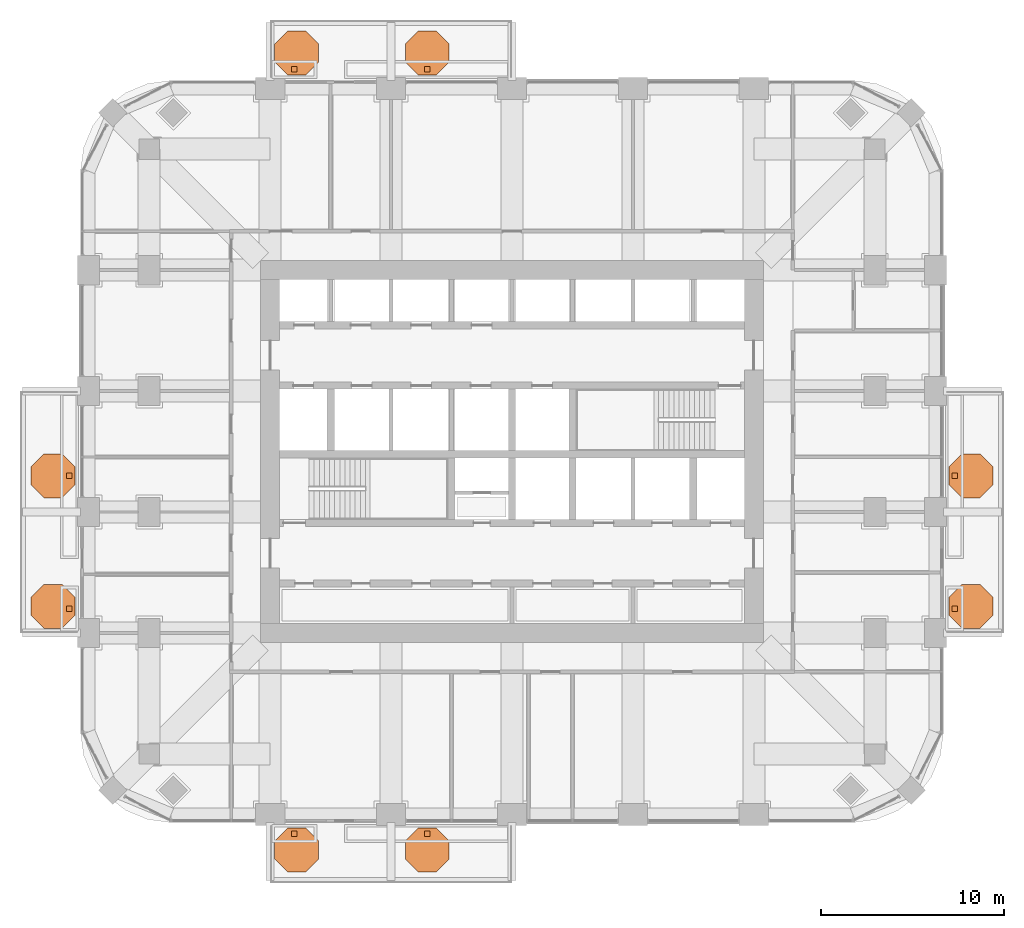
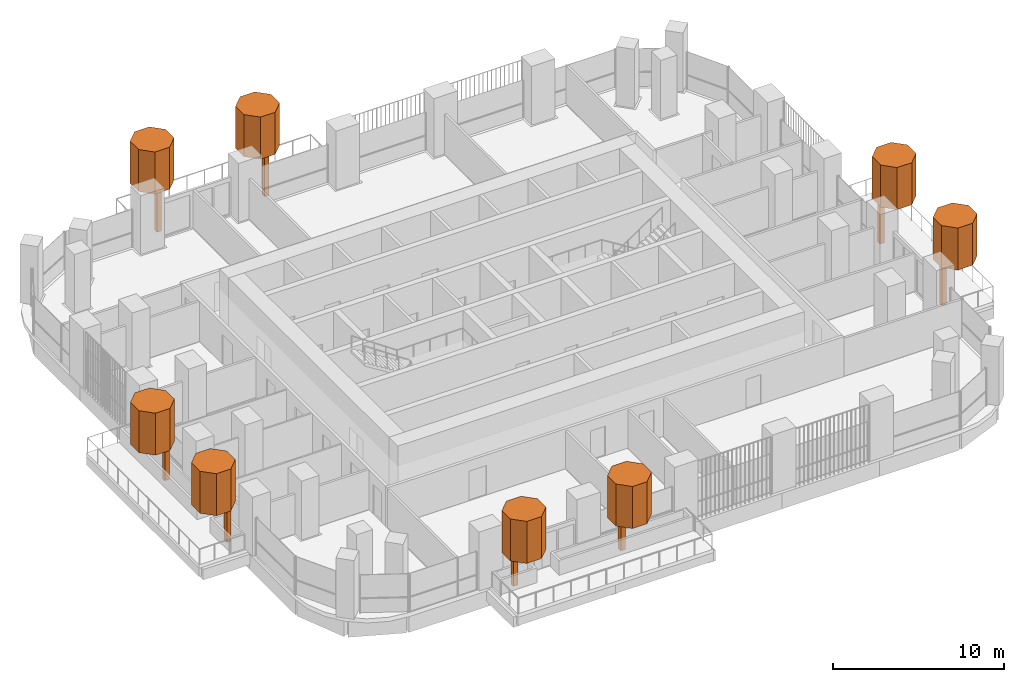
# One storey, part 20 of 20: 16 geographic elements.
"""IFC4 building model written with IfcOpenShell, lengths in metres."""

from ifc_helpers import new_model, si_unit, direction, frame, origin, origin_2d, place, context, subcontext, project, spatial, polyline, rectangle, outline, extrude, material, type_object, element, save


model = new_model("IFC4")

# Units and contexts
model_context = context("Model", 3, precision=1e-05, world=origin(), true_north=direction((0.0, 1.0)))
body_context = subcontext(model_context, "Body", "Model", "MODEL_VIEW")
ifc_project = project(units=[si_unit("LENGTHUNIT", "METRE"), si_unit("AREAUNIT", "SQUARE_METRE"), si_unit("VOLUMEUNIT", "CUBIC_METRE"), si_unit("PLANEANGLEUNIT", "RADIAN"), si_unit("MASSUNIT", "GRAM", prefix="KILO")], contexts=[model_context])

# Site, building, storey
site_placement = place(None, origin())
site = spatial("IfcSite", under=ifc_project, at=site_placement, CompositionType="ELEMENT")
building_placement = place(site_placement, origin())
building = spatial("IfcBuilding", under=site, at=building_placement, Name="Cobogo Forest Laboratory Tower", CompositionType="ELEMENT")
storey_placement = place(building_placement, frame((0.0, 0.0, 193.5)))
storey = spatial("IfcBuildingStorey", under=building, at=storey_placement, Name="L44", CompositionType="ELEMENT", Elevation=193.5)

# Geographic elements
ifc_material = material(Name="Planting", Category="plant")
geographic_element_type_1 = type_object("IfcGeographicElementType", Name="Tree trunk 300", PredefinedType="USERDEFINED", material=ifc_material)
for number, where, z_axis, x_axis, name in (
    (1, (14.52490234375, 2.25, 0.0), (0.0, 0.0, 1.0), (1.0, 0.0, 0.0), "Tree trunk BAL-S1-PL1 L44"),
    (2, (21.77490234375, 2.25, 0.0), (0.0, 0.0, 1.0), (1.0, 0.0, 0.0), "Tree trunk BAL-S1-PL2 L44"),
    (3, (50.550048828125, 14.52490234375, 0.0), (0.0, 0.0, 1.0), (1.0, 0.0, 0.0), "Tree trunk BAL-E1-PL1 L44"),
    (4, (50.550048828125, 21.77490234375, 0.0), (0.0, 0.0, 1.0), (1.0, 0.0, 0.0), "Tree trunk BAL-E1-PL2 L44"),
    (5, (14.52490234375, 43.949951171875, 0.0), (0.0, 0.0, 1.0), (1.0, 0.0, 0.0), "Tree trunk BAL-N1-PL1 L44"),
    (6, (21.77490234375, 43.949951171875, 0.0), (0.0, 0.0, 1.0), (1.0, 0.0, 0.0), "Tree trunk BAL-N1-PL2 L44"),
    (7, (2.25, 14.52490234375, 0.0), (0.0, 0.0, 1.0), (1.0, 0.0, 0.0), "Tree trunk BAL-W1-PL1 L44"),
    (8, (2.25, 21.77490234375, 0.0), (0.0, 0.0, 1.0), (1.0, 0.0, 0.0), "Tree trunk BAL-W1-PL2 L44"),
):
    element("IfcGeographicElement", number, at=place(storey_placement, frame(where, z_axis=z_axis, x_axis=x_axis)), inside=storey, type_object=geographic_element_type_1, Name=name, ObjectType="TREE TRUNK", PredefinedType="USERDEFINED", context=body_context, shape_type="SweptSolid", body=[
        extrude(rectangle(XDim=0.300048828125, YDim=0.300048828125, at=origin_2d()), origin(), (0.0, 0.0, 1.0), 2.89990234375),
    ])
geographic_element_type_2 = type_object("IfcGeographicElementType", Name="Tree, holm oak 5 m", PredefinedType="USERDEFINED", material=ifc_material)
geographic_element_1_placement = place(storey_placement, frame((0.0, 0.0, 2.89990234375)))
element("IfcGeographicElement", 9, at=geographic_element_1_placement, inside=storey, type_object=geographic_element_type_2, Name="Holm tree BAL-S1-PL1 L44", ObjectType="TREE", PredefinedType="USERDEFINED", context=body_context, shape_type="SweptSolid", body=[
    extrude(outline(polyline([(15.85009765625, 0.85302734375), (15.85009765625, 1.84716796875), (15.14697265625, 2.550048828125), (14.15283203125, 2.550048828125), (13.449951171875, 1.84716796875), (13.449951171875, 0.85302734375), (14.15283203125, 0.14990234375), (15.14697265625, 0.14990234375), (15.85009765625, 0.85302734375)])), origin(), (0.0, 0.0, 1.0), 3.0),
])
geographic_element_2_placement = place(storey_placement, frame((0.0, 0.0, 2.89990234375)))
element("IfcGeographicElement", 10, at=geographic_element_2_placement, inside=storey, type_object=geographic_element_type_2, Name="Holm tree BAL-S1-PL2 L44", ObjectType="TREE", PredefinedType="USERDEFINED", context=body_context, shape_type="SweptSolid", body=[
    extrude(outline(polyline([(22.97509765625, 0.85302734375), (22.97509765625, 1.84716796875), (22.27197265625, 2.550048828125), (21.27783203125, 2.550048828125), (20.574951171875, 1.84716796875), (20.574951171875, 0.85302734375), (21.27783203125, 0.14990234375), (22.27197265625, 0.14990234375), (22.97509765625, 0.85302734375)])), origin(), (0.0, 0.0, 1.0), 3.0),
])
geographic_element_3_placement = place(storey_placement, frame((0.0, 0.0, 2.89990234375)))
element("IfcGeographicElement", 11, at=geographic_element_3_placement, inside=storey, type_object=geographic_element_type_2, Name="Holm tree BAL-E1-PL1 L44", ObjectType="TREE", PredefinedType="USERDEFINED", context=body_context, shape_type="SweptSolid", body=[
    extrude(outline(polyline([(52.64990234375, 14.15283203125), (52.64990234375, 15.14697265625), (51.947021484375, 15.85009765625), (50.952880859375, 15.85009765625), (50.25, 15.14697265625), (50.25, 14.15283203125), (50.952880859375, 13.449951171875), (51.947021484375, 13.449951171875), (52.64990234375, 14.15283203125)])), origin(), (0.0, 0.0, 1.0), 3.0),
])
geographic_element_4_placement = place(storey_placement, frame((0.0, 0.0, 2.89990234375)))
element("IfcGeographicElement", 12, at=geographic_element_4_placement, inside=storey, type_object=geographic_element_type_2, Name="Holm tree BAL-E1-PL2 L44", ObjectType="TREE", PredefinedType="USERDEFINED", context=body_context, shape_type="SweptSolid", body=[
    extrude(outline(polyline([(52.64990234375, 21.27783203125), (52.64990234375, 22.27197265625), (51.947021484375, 22.97509765625), (50.952880859375, 22.97509765625), (50.25, 22.27197265625), (50.25, 21.27783203125), (50.952880859375, 20.574951171875), (51.947021484375, 20.574951171875), (52.64990234375, 21.27783203125)])), origin(), (0.0, 0.0, 1.0), 3.0),
])
geographic_element_5_placement = place(storey_placement, frame((0.0, 0.0, 2.89990234375)))
element("IfcGeographicElement", 13, at=geographic_element_5_placement, inside=storey, type_object=geographic_element_type_2, Name="Holm tree BAL-N1-PL1 L44", ObjectType="TREE", PredefinedType="USERDEFINED", context=body_context, shape_type="SweptSolid", body=[
    extrude(outline(polyline([(15.85009765625, 44.35302734375), (15.85009765625, 45.34716796875), (15.14697265625, 46.050048828125), (14.15283203125, 46.050048828125), (13.449951171875, 45.34716796875), (13.449951171875, 44.35302734375), (14.15283203125, 43.64990234375), (15.14697265625, 43.64990234375), (15.85009765625, 44.35302734375)])), origin(), (0.0, 0.0, 1.0), 3.0),
])
geographic_element_6_placement = place(storey_placement, frame((0.0, 0.0, 2.89990234375)))
element("IfcGeographicElement", 14, at=geographic_element_6_placement, inside=storey, type_object=geographic_element_type_2, Name="Holm tree BAL-N1-PL2 L44", ObjectType="TREE", PredefinedType="USERDEFINED", context=body_context, shape_type="SweptSolid", body=[
    extrude(outline(polyline([(22.97509765625, 44.35302734375), (22.97509765625, 45.34716796875), (22.27197265625, 46.050048828125), (21.27783203125, 46.050048828125), (20.574951171875, 45.34716796875), (20.574951171875, 44.35302734375), (21.27783203125, 43.64990234375), (22.27197265625, 43.64990234375), (22.97509765625, 44.35302734375)])), origin(), (0.0, 0.0, 1.0), 3.0),
])
geographic_element_7_placement = place(storey_placement, frame((0.0, 0.0, 2.89990234375)))
element("IfcGeographicElement", 15, at=geographic_element_7_placement, inside=storey, type_object=geographic_element_type_2, Name="Holm tree BAL-W1-PL1 L44", ObjectType="TREE", PredefinedType="USERDEFINED", context=body_context, shape_type="SweptSolid", body=[
    extrude(outline(polyline([(2.550048828125, 14.15283203125), (2.550048828125, 15.14697265625), (1.84716796875, 15.85009765625), (0.85302734375, 15.85009765625), (0.14990234375, 15.14697265625), (0.14990234375, 14.15283203125), (0.85302734375, 13.449951171875), (1.84716796875, 13.449951171875), (2.550048828125, 14.15283203125)])), origin(), (0.0, 0.0, 1.0), 3.0),
])
geographic_element_8_placement = place(storey_placement, frame((0.0, 0.0, 2.89990234375)))
element("IfcGeographicElement", 16, at=geographic_element_8_placement, inside=storey, type_object=geographic_element_type_2, Name="Holm tree BAL-W1-PL2 L44", ObjectType="TREE", PredefinedType="USERDEFINED", context=body_context, shape_type="SweptSolid", body=[
    extrude(outline(polyline([(2.550048828125, 21.27783203125), (2.550048828125, 22.27197265625), (1.84716796875, 22.97509765625), (0.85302734375, 22.97509765625), (0.14990234375, 22.27197265625), (0.14990234375, 21.27783203125), (0.85302734375, 20.574951171875), (1.84716796875, 20.574951171875), (2.550048828125, 21.27783203125)])), origin(), (0.0, 0.0, 1.0), 3.0),
])

save(model, "model.ifc")
